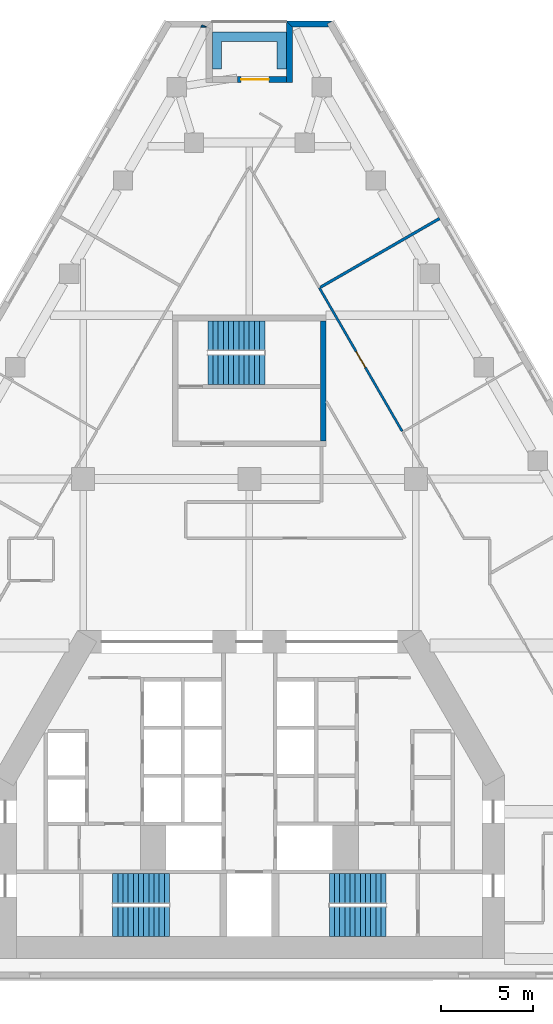
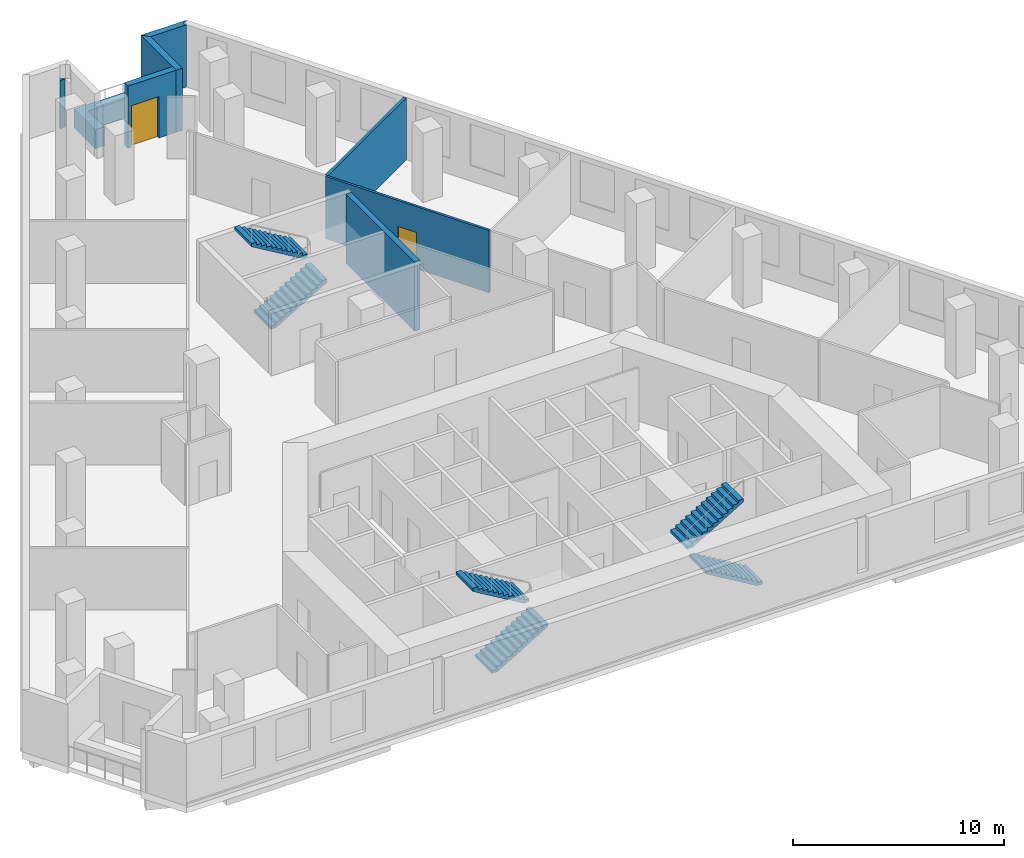
# One storey, part 9 of 10: 8 walls, 6 stair flights, 2 doors, 2 openings, 3 elements without a shape of their own.
"""IFC4 building model written with IfcOpenShell, lengths in metres."""

from ifc_helpers import new_model, si_unit, direction, frame, frame_2d, origin, place, context, subcontext, project, spatial, polyline, rectangle, outline, extrude, material, layer, layer_set, type_object, element, fill, aggregate, save


model = new_model("IFC4")

# Units and contexts
model_context = context("Model", 3, precision=1e-05, world=origin(), true_north=direction((0.0, 1.0)))
body_context = subcontext(model_context, "Body", "Model", "MODEL_VIEW")
ifc_project = project(units=[si_unit("LENGTHUNIT", "METRE"), si_unit("AREAUNIT", "SQUARE_METRE"), si_unit("VOLUMEUNIT", "CUBIC_METRE"), si_unit("PLANEANGLEUNIT", "RADIAN"), si_unit("MASSUNIT", "GRAM", prefix="KILO")], contexts=[model_context])

# Site, building, storey
site_placement = place(None, origin())
site = spatial("IfcSite", under=ifc_project, at=site_placement, CompositionType="ELEMENT")
building_placement = place(site_placement, origin())
building = spatial("IfcBuilding", under=site, at=building_placement, Name="Fogline Exchange Tower", CompositionType="ELEMENT")
storey_placement = place(building_placement, frame((0.0, 0.0, 120.10009765625)))
storey = spatial("IfcBuildingStorey", under=building, at=storey_placement, Name="L26", CompositionType="ELEMENT", Elevation=120.10009765625)

# Walls
ifc_material_1 = material(Name="Concrete C40", Category="concrete")
ifc_layer_1 = layer(ifc_material_1, 0.300048828125)
ifc_layer_set_1 = layer_set([ifc_layer_1], Name="CW30")
wall_type_1 = type_object("IfcWallType", Name="CW30", PredefinedType="SOLIDWALL", material=ifc_layer_set_1)
wall_1_placement = place(storey_placement, frame((4.0, 29.056884765625, -0.400146484375), z_axis=(0.0, 0.0, 1.0), x_axis=(0.0, 1.0, 0.0)))
element("IfcWall", 1, at=wall_1_placement, inside=storey, type_object=wall_type_1, Name="Stair enclosure wall ST3", PredefinedType="SOLIDWALL", context=body_context, shape_type="SweptSolid", body=[
    extrude(rectangle(XDim=6.5, YDim=0.300048828125, at=frame_2d((3.25, 0.0))), origin(), (0.0, 0.0, 1.0), 4.0),
])
ifc_material_2 = material(Name="Brick masonry", Category="masonry")
ifc_layer_2 = layer(ifc_material_2, 0.340087890625)
ifc_layer_set_2 = layer_set([ifc_layer_2], Name="FW1")
wall_type_2 = type_object("IfcWallType", Name="FW1", PredefinedType="SOLIDWALL", material=ifc_layer_set_2)
wall_2_placement = place(storey_placement, origin())
element("IfcWall", 2, at=wall_2_placement, inside=storey, type_object=wall_type_2, Name="Brick wall L26 N-c1", PredefinedType="SOLIDWALL", context=body_context, shape_type="SweptSolid", body=[
    extrude(outline(polyline([(1.9990234375, 51.77734375), (4.5009765625, 51.77734375), (4.501220703125, 51.776611328125), (4.206298828125, 51.6064453125), (4.3046875, 51.43603515625), (2.33984375, 51.43603515625), (1.998779296875, 51.77685546875), (1.9990234375, 51.77734375)])), origin(), (0.0, 0.0, 1.0), 3.599853515625),
])
wall_3_placement = place(storey_placement, origin())
element("IfcWall", 3, at=wall_3_placement, inside=storey, type_object=wall_type_2, Name="Brick wall L26 N-s1", PredefinedType="SOLIDWALL", context=body_context, shape_type="SweptSolid", body=[
    extrude(outline(polyline([(2.340576171875, 48.43603515625), (1.99951171875, 48.43603515625), (1.99951171875, 51.777587890625), (1.999755859375, 51.77783203125), (2.340576171875, 51.43701171875), (2.340576171875, 48.43603515625)])), origin(), (0.0, 0.0, 1.0), 3.599853515625),
])

# Wall, opening, door
wall_4_placement = place(storey_placement, frame((2.0, 48.606689453125, 0.0), z_axis=(0.0, 0.0, 1.0), x_axis=(-1.0, 0.0, 0.0)))
wall_4 = element("IfcWall", 4, at=wall_4_placement, inside=storey, type_object=wall_type_2, Name="Brick wall L26 N-bk", PredefinedType="SOLIDWALL", context=body_context, shape_type="SweptSolid", body=[
    extrude(rectangle(XDim=2.64404296875, YDim=0.340087890625, at=frame_2d((1.322021484375, 0.0))), origin(), (0.0, 0.0, 1.0), 3.599853515625),
])
opening_1_placement = place(wall_4_placement, frame((0.944091796875, 0.0, 0.0)))
opening_1 = element("IfcOpeningElement", 5, at=opening_1_placement, cuts=wall_4, Name="Opening T08-E141", PredefinedType="OPENING", context=body_context, shape_type="SweptSolid", body=[
    extrude(rectangle(XDim=1.5, YDim=2.39990234375, at=frame_2d((0.75, 1.199951171875))), frame((0.0, 0.18017578125, 0.0), z_axis=(0.0, -1.0, 0.0), x_axis=(1.0, 0.0, 0.0)), (0.0, 0.0, 1.0), 0.360107421875),
])
ifc_material_3 = material(Name="Aluminium and glass", Category="aluminium")
door_type_1 = type_object("IfcDoorType", Name="ED4", OperationType="SINGLE_SWING_LEFT", PredefinedType="DOOR", material=ifc_material_3)
door_1_placement = place(opening_1_placement, frame((1.5, 0.0, 0.0), z_axis=(0.0, 0.0, 1.0), x_axis=(-1.0, 0.0, 0.0)))
door_1 = element("IfcDoor", 6, at=door_1_placement, inside=storey, type_object=door_type_1, Name="Balcony door L26 N", OperationType="DOUBLE_DOOR_SINGLE_SWING", OverallHeight=2.39990234375, OverallWidth=1.5, PredefinedType="DOOR", context=body_context, shape_type="SweptSolid", body=[
    extrude(rectangle(XDim=1.5, YDim=2.39990234375, at=frame_2d((0.75, 1.199951171875))), frame((0.0, 0.02490234375, 0.0), z_axis=(0.0, -1.0, 0.0), x_axis=(1.0, 0.0, 0.0)), (0.0, 0.0, 1.0), 0.050048828125),
])
fill(opening_1, door_1)

# Walls
wall_5_placement = place(storey_placement, origin())
element("IfcWall", 7, at=wall_5_placement, inside=storey, type_object=wall_type_2, Name="Brick wall L26 N-c2", PredefinedType="SOLIDWALL", context=body_context, shape_type="SweptSolid", body=[
    extrude(outline(polyline([(-2.33984375, 51.43603515625), (-2.63232421875, 51.43603515625), (-2.56494140625, 51.5751953125), (-2.3193359375, 51.456298828125), (-2.33984375, 51.43603515625)])), origin(), (0.0, 0.0, 1.0), 2.7998046875),
])
ifc_material_4 = material(Name="Concrete C30", Category="concrete")
ifc_layer_3 = layer(ifc_material_4, 0.199951171875)
ifc_layer_set_3 = layer_set([ifc_layer_3], Name="PL1")
wall_type_3 = type_object("IfcWallType", Name="PL1", PredefinedType="USERDEFINED", material=ifc_layer_set_3)
wall_6_placement = place(storey_placement, origin())
element("IfcWall", 8, at=wall_6_placement, inside=storey, type_object=wall_type_3, Name="PLANTER balcony L26 N", ObjectType="PLANTER", PredefinedType="USERDEFINED", context=body_context, shape_type="SweptSolid", body=[
    extrude(outline(polyline([(-1.5, 51.1767578125), (-2.0, 51.1767578125), (-2.0, 50.6767578125), (-2.0, 49.1767578125), (-1.5, 49.1767578125), (-1.5, 50.6767578125), (1.5, 50.6767578125), (1.5, 49.1767578125), (2.0, 49.1767578125), (2.0, 50.6767578125), (2.0, 51.1767578125), (1.5, 51.1767578125), (-1.5, 51.1767578125)])), origin(), (0.0, 0.0, 1.0), 1.099853515625),
])

# Wall, opening, door
ifc_material_5 = material(Name="Plasterboard corridor partition with mineral wool, 2 layers each side")
ifc_layer_4 = layer(ifc_material_5, 0.125)
ifc_layer_set_4 = layer_set([ifc_layer_4], Name="PW2")
wall_type_4 = type_object("IfcWallType", Name="PW2", PredefinedType="PARTITIONING", material=ifc_layer_set_4)
wall_7_placement = place(storey_placement, frame((3.7841796875, 37.336669921875, 0.0), z_axis=(0.0, 0.0, 1.0), x_axis=(0.49998850867, -0.866032038205, 0.0)))
wall_7 = element("IfcWall", 9, at=wall_7_placement, inside=storey, type_object=wall_type_4, Name="wall-L26-W013", PredefinedType="PARTITIONING", context=body_context, shape_type="SweptSolid", body=[
    extrude(rectangle(XDim=8.949462890625, YDim=0.125, at=frame_2d((4.474609375, 0.0))), origin(), (0.0, 0.0, 1.0), 3.599853515625),
])
opening_2_placement = place(wall_7_placement, frame((3.974609375, 0.0, 0.0)))
opening_2 = element("IfcOpeningElement", 10, at=opening_2_placement, cuts=wall_7, Name="Opening T08-D006", PredefinedType="OPENING", context=body_context, shape_type="SweptSolid", body=[
    extrude(rectangle(XDim=1.0, YDim=2.10009765625, at=frame_2d((0.5, 1.050048828125))), frame((0.0, 0.072509765625, 0.0), z_axis=(0.0, -1.0, 0.0), x_axis=(1.0, 0.0, 0.0)), (0.0, 0.0, 1.0), 0.14501953125),
])
ifc_material_6 = material(Name="Fire-rated timber door leaf with steel frame", Category="steel")
door_type_2 = type_object("IfcDoorType", Name="D3", OperationType="SINGLE_SWING_LEFT", PredefinedType="DOOR", material=ifc_material_6)
door_2_placement = place(opening_2_placement, origin())
door_2 = element("IfcDoor", 11, at=door_2_placement, inside=storey, type_object=door_type_2, Name="door-L26-D006", OperationType="SINGLE_SWING_LEFT", OverallHeight=2.10009765625, OverallWidth=1.0, PredefinedType="DOOR", context=body_context, shape_type="SweptSolid", body=[
    extrude(rectangle(XDim=1.0, YDim=2.10009765625, at=frame_2d((0.5, 1.050048828125))), frame((0.0, 0.02490234375, 0.0), z_axis=(0.0, -1.0, 0.0), x_axis=(1.0, 0.0, 0.0)), (0.0, 0.0, 1.0), 0.050048828125),
])
fill(opening_2, door_2)

# Wall
ifc_material_7 = material(Name="Plasterboard demising partition with mineral wool and acoustic board")
ifc_layer_5 = layer(ifc_material_7, 0.14990234375)
ifc_layer_set_5 = layer_set([ifc_layer_5], Name="PW3")
wall_type_5 = type_object("IfcWallType", Name="PW3", PredefinedType="PARTITIONING", material=ifc_layer_set_5)
wall_8_placement = place(storey_placement, frame((3.838134765625, 37.367919921875, 0.0), z_axis=(0.0, 0.0, 1.0), x_axis=(0.866028703517, 0.499994284652, 0.0)))
element("IfcWall", 12, at=wall_8_placement, inside=storey, type_object=wall_type_5, Name="wall-L26-W036", PredefinedType="PARTITIONING", context=body_context, shape_type="SweptSolid", body=[
    extrude(rectangle(XDim=7.4375, YDim=0.14990234375, at=frame_2d((3.71875, 0.0))), origin(), (0.0, 0.0, 1.0), 3.599853515625),
])

# Stair, stair flights
stair_type = type_object("IfcStairType", Name="STR24-1667", PredefinedType="HALF_TURN_STAIR", material=ifc_material_1)
stair_1_placement = place(storey_placement, origin())
stair_1 = element("IfcStair", 13, at=stair_1_placement, inside=storey, type_object=stair_type, Name="Stair ST1", PredefinedType="HALF_TURN_STAIR")
stair_flight_type = type_object("IfcStairFlightType", Name="SF12-1667", PredefinedType="STRAIGHT", material=ifc_material_1)
stair_flight_1_placement = place(storey_placement, frame((-7.39990234375, 3.050048828125, 0.0), z_axis=(0.0, 0.0, 1.0), x_axis=(1.0, 0.0, 0.0)))
stair_flight_1 = element("IfcStairFlight", 14, at=stair_flight_1_placement, type_object=stair_flight_type, Name="ST1 flight 1", NumberOfRisers=12, NumberOfTreads=11, PredefinedType="STRAIGHT", RiserHeight=0.166666667, TreadLength=0.28, context=body_context, shape_type="SweptSolid", body=[
    extrude(outline(polyline([(0.0, 0.0), (0.0, 0.166748046875), (0.280029296875, 0.166748046875), (0.280029296875, 0.333251953125), (0.56005859375, 0.333251953125), (0.56005859375, 0.5), (0.840087890625, 0.5), (0.840087890625, 0.666748046875), (1.1201171875, 0.666748046875), (1.1201171875, 0.833251953125), (1.39990234375, 0.833251953125), (1.39990234375, 1.0), (1.679931640625, 1.0), (1.679931640625, 1.166748046875), (1.9599609375, 1.166748046875), (1.9599609375, 1.333251953125), (2.239990234375, 1.333251953125), (2.239990234375, 1.5), (2.52001953125, 1.5), (2.52001953125, 1.666748046875), (2.800048828125, 1.666748046875), (2.800048828125, 1.833251953125), (3.080078125, 1.833251953125), (3.080078125, 2.0), (3.080078125, 1.658935546875), (0.29296875, 0.0), (0.0, 0.0)])), frame((0.0, 0.800048828125, 0.0), z_axis=(0.0, -1.0, 0.0), x_axis=(1.0, 0.0, 0.0)), (0.0, 0.0, 1.0), 1.60009765625),
])
stair_flight_2_placement = place(storey_placement, frame((-4.320068359375, 4.85009765625, 2.0), z_axis=(0.0, 0.0, 1.0), x_axis=(-1.0, 0.0, 0.0)))
stair_flight_2 = element("IfcStairFlight", 15, at=stair_flight_2_placement, type_object=stair_flight_type, Name="ST1 flight 2", NumberOfRisers=12, NumberOfTreads=11, PredefinedType="STRAIGHT", RiserHeight=0.166666667, TreadLength=0.28, context=body_context, shape_type="SweptSolid", body=[
    extrude(outline(polyline([(0.0, 0.0), (0.0, 0.166748046875), (0.280029296875, 0.166748046875), (0.280029296875, 0.333251953125), (0.56005859375, 0.333251953125), (0.56005859375, 0.5), (0.840087890625, 0.5), (0.840087890625, 0.666748046875), (1.1201171875, 0.666748046875), (1.1201171875, 0.833251953125), (1.39990234375, 0.833251953125), (1.39990234375, 1.0), (1.679931640625, 1.0), (1.679931640625, 1.166748046875), (1.9599609375, 1.166748046875), (1.9599609375, 1.333251953125), (2.239990234375, 1.333251953125), (2.239990234375, 1.5), (2.52001953125, 1.5), (2.52001953125, 1.666748046875), (2.800048828125, 1.666748046875), (2.800048828125, 1.833251953125), (3.080078125, 1.833251953125), (3.080078125, 2.0), (3.080078125, 1.658935546875), (0.29296875, 0.0), (0.0, 0.0)])), frame((0.0, 0.800048828125, 0.0), z_axis=(0.0, -1.0, 0.0), x_axis=(1.0, 0.0, 0.0)), (0.0, 0.0, 1.0), 1.60009765625),
])
aggregate(stair_1, [stair_flight_1, stair_flight_2])

stair_2_placement = place(storey_placement, origin())
stair_2 = element("IfcStair", 16, at=stair_2_placement, inside=storey, type_object=stair_type, Name="Stair ST2", PredefinedType="HALF_TURN_STAIR")
stair_flight_3_placement = place(storey_placement, frame((7.39990234375, 3.050048828125, 0.0), z_axis=(0.0, 0.0, 1.0), x_axis=(-1.0, 0.0, 0.0)))
stair_flight_3 = element("IfcStairFlight", 17, at=stair_flight_3_placement, type_object=stair_flight_type, Name="ST2 flight 1", NumberOfRisers=12, NumberOfTreads=11, PredefinedType="STRAIGHT", RiserHeight=0.166666667, TreadLength=0.28, context=body_context, shape_type="SweptSolid", body=[
    extrude(outline(polyline([(0.0, 0.0), (0.0, 0.166748046875), (0.280029296875, 0.166748046875), (0.280029296875, 0.333251953125), (0.56005859375, 0.333251953125), (0.56005859375, 0.5), (0.840087890625, 0.5), (0.840087890625, 0.666748046875), (1.1201171875, 0.666748046875), (1.1201171875, 0.833251953125), (1.39990234375, 0.833251953125), (1.39990234375, 1.0), (1.679931640625, 1.0), (1.679931640625, 1.166748046875), (1.9599609375, 1.166748046875), (1.9599609375, 1.333251953125), (2.239990234375, 1.333251953125), (2.239990234375, 1.5), (2.52001953125, 1.5), (2.52001953125, 1.666748046875), (2.800048828125, 1.666748046875), (2.800048828125, 1.833251953125), (3.080078125, 1.833251953125), (3.080078125, 2.0), (3.080078125, 1.658935546875), (0.29296875, 0.0), (0.0, 0.0)])), frame((0.0, 0.800048828125, 0.0), z_axis=(0.0, -1.0, 0.0), x_axis=(1.0, 0.0, 0.0)), (0.0, 0.0, 1.0), 1.60009765625),
])
stair_flight_4_placement = place(storey_placement, frame((4.320068359375, 4.85009765625, 2.0), z_axis=(0.0, 0.0, 1.0), x_axis=(1.0, 0.0, 0.0)))
stair_flight_4 = element("IfcStairFlight", 18, at=stair_flight_4_placement, type_object=stair_flight_type, Name="ST2 flight 2", NumberOfRisers=12, NumberOfTreads=11, PredefinedType="STRAIGHT", RiserHeight=0.166666667, TreadLength=0.28, context=body_context, shape_type="SweptSolid", body=[
    extrude(outline(polyline([(0.0, 0.0), (0.0, 0.166748046875), (0.280029296875, 0.166748046875), (0.280029296875, 0.333251953125), (0.56005859375, 0.333251953125), (0.56005859375, 0.5), (0.840087890625, 0.5), (0.840087890625, 0.666748046875), (1.1201171875, 0.666748046875), (1.1201171875, 0.833251953125), (1.39990234375, 0.833251953125), (1.39990234375, 1.0), (1.679931640625, 1.0), (1.679931640625, 1.166748046875), (1.9599609375, 1.166748046875), (1.9599609375, 1.333251953125), (2.239990234375, 1.333251953125), (2.239990234375, 1.5), (2.52001953125, 1.5), (2.52001953125, 1.666748046875), (2.800048828125, 1.666748046875), (2.800048828125, 1.833251953125), (3.080078125, 1.833251953125), (3.080078125, 2.0), (3.080078125, 1.658935546875), (0.29296875, 0.0), (0.0, 0.0)])), frame((0.0, 0.800048828125, 0.0), z_axis=(0.0, -1.0, 0.0), x_axis=(1.0, 0.0, 0.0)), (0.0, 0.0, 1.0), 1.60009765625),
])
aggregate(stair_2, [stair_flight_3, stair_flight_4])

stair_3_placement = place(storey_placement, origin())
stair_3 = element("IfcStair", 19, at=stair_3_placement, inside=storey, type_object=stair_type, Name="Stair ST3", PredefinedType="HALF_TURN_STAIR")
stair_flight_5_placement = place(storey_placement, frame((-2.25, 32.906982421875, 0.0), z_axis=(0.0, 0.0, 1.0), x_axis=(1.0, 0.0, 0.0)))
stair_flight_5 = element("IfcStairFlight", 20, at=stair_flight_5_placement, type_object=stair_flight_type, Name="ST3 flight 1", NumberOfRisers=12, NumberOfTreads=11, PredefinedType="STRAIGHT", RiserHeight=0.166666667, TreadLength=0.28, context=body_context, shape_type="SweptSolid", body=[
    extrude(outline(polyline([(0.0, 0.0), (0.0, 0.166748046875), (0.280029296875, 0.166748046875), (0.280029296875, 0.333251953125), (0.56005859375, 0.333251953125), (0.56005859375, 0.5), (0.840087890625, 0.5), (0.840087890625, 0.666748046875), (1.1201171875, 0.666748046875), (1.1201171875, 0.833251953125), (1.39990234375, 0.833251953125), (1.39990234375, 1.0), (1.679931640625, 1.0), (1.679931640625, 1.166748046875), (1.9599609375, 1.166748046875), (1.9599609375, 1.333251953125), (2.239990234375, 1.333251953125), (2.239990234375, 1.5), (2.52001953125, 1.5), (2.52001953125, 1.666748046875), (2.800048828125, 1.666748046875), (2.800048828125, 1.833251953125), (3.080078125, 1.833251953125), (3.080078125, 2.0), (3.080078125, 1.658935546875), (0.29296875, 0.0), (0.0, 0.0)])), frame((0.0, 0.800048828125, 0.0), z_axis=(0.0, -1.0, 0.0), x_axis=(1.0, 0.0, 0.0)), (0.0, 0.0, 1.0), 1.60009765625),
])
stair_flight_6_placement = place(storey_placement, frame((0.830078125, 34.757080078125, 2.0), z_axis=(0.0, 0.0, 1.0), x_axis=(-1.0, 0.0, 0.0)))
stair_flight_6 = element("IfcStairFlight", 21, at=stair_flight_6_placement, type_object=stair_flight_type, Name="ST3 flight 2", NumberOfRisers=12, NumberOfTreads=11, PredefinedType="STRAIGHT", RiserHeight=0.166666667, TreadLength=0.28, context=body_context, shape_type="SweptSolid", body=[
    extrude(outline(polyline([(0.0, 0.0), (0.0, 0.166748046875), (0.280029296875, 0.166748046875), (0.280029296875, 0.333251953125), (0.56005859375, 0.333251953125), (0.56005859375, 0.5), (0.840087890625, 0.5), (0.840087890625, 0.666748046875), (1.1201171875, 0.666748046875), (1.1201171875, 0.833251953125), (1.39990234375, 0.833251953125), (1.39990234375, 1.0), (1.679931640625, 1.0), (1.679931640625, 1.166748046875), (1.9599609375, 1.166748046875), (1.9599609375, 1.333251953125), (2.239990234375, 1.333251953125), (2.239990234375, 1.5), (2.52001953125, 1.5), (2.52001953125, 1.666748046875), (2.800048828125, 1.666748046875), (2.800048828125, 1.833251953125), (3.080078125, 1.833251953125), (3.080078125, 2.0), (3.080078125, 1.658935546875), (0.29296875, 0.0), (0.0, 0.0)])), frame((0.0, 0.800048828125, 0.0), z_axis=(0.0, -1.0, 0.0), x_axis=(1.0, 0.0, 0.0)), (0.0, 0.0, 1.0), 1.60009765625),
])
aggregate(stair_3, [stair_flight_5, stair_flight_6])

save(model, "model.ifc")
